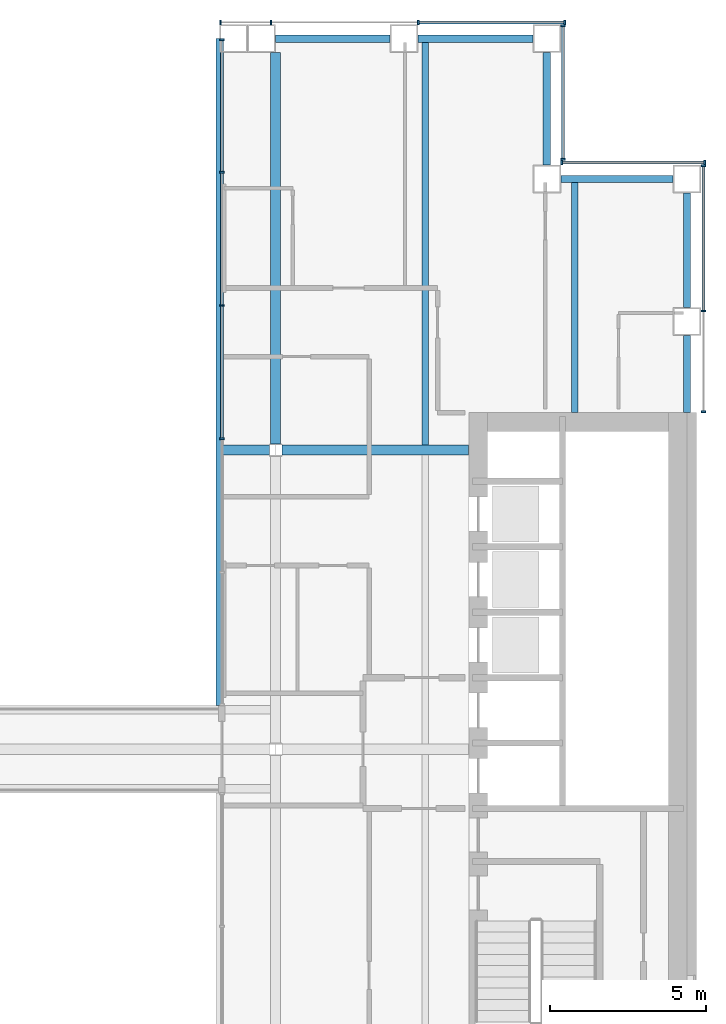
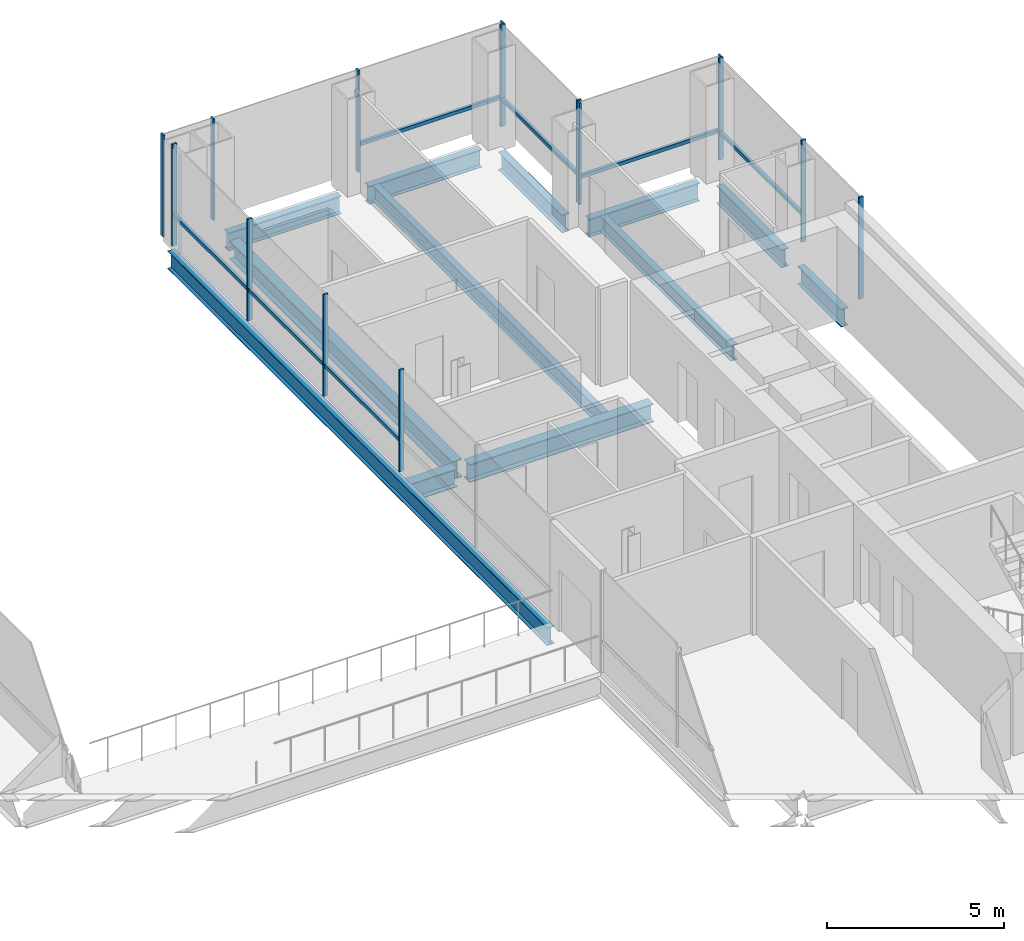
# One storey, part 8 of 16: 22 members, 12 beams, 5 elements without a shape of their own.
"""IFC4 building model written with IfcOpenShell, lengths in metres."""

from ifc_helpers import new_model, si_unit, direction, frame, origin, origin_2d, place, context, subcontext, project, spatial, rectangle, i_section, extrude, material, material_profile, profile_set, type_object, element, aggregate, save


model = new_model("IFC4")

# Units and contexts
model_context = context("Model", 3, precision=1e-05, world=origin(), true_north=direction((0.0, 1.0)))
body_context = subcontext(model_context, "Body", "Model", "MODEL_VIEW")
ifc_project = project(units=[si_unit("LENGTHUNIT", "METRE"), si_unit("AREAUNIT", "SQUARE_METRE"), si_unit("VOLUMEUNIT", "CUBIC_METRE"), si_unit("PLANEANGLEUNIT", "RADIAN"), si_unit("MASSUNIT", "GRAM", prefix="KILO")], contexts=[model_context])

# Site, building, storey
site_placement = place(None, origin())
site = spatial("IfcSite", under=ifc_project, at=site_placement, CompositionType="ELEMENT")
building_placement = place(site_placement, origin())
building = spatial("IfcBuilding", under=site, at=building_placement, Name="Cobrizo Arcos Hotel Tower", CompositionType="ELEMENT")
storey_placement = place(building_placement, frame((0.0, 0.0, 127.5)))
storey = spatial("IfcBuildingStorey", under=building, at=storey_placement, Name="L32", CompositionType="ELEMENT", Elevation=127.5)

# Curtain wall, members
ifc_material_1 = material(Name="Aluminium 6063-T6 anodised bronze", Category="aluminium")
curtain_wall_type_1 = type_object("IfcCurtainWallType", Name="CW-A guest facade", PredefinedType="NOTDEFINED", material=ifc_material_1)
curtain_wall_1_placement = place(storey_placement, origin())
curtain_wall_1 = element("IfcCurtainWall", 1, at=curtain_wall_1_placement, inside=storey, type_object=curtain_wall_type_1, Name="CW-A L32 E face", PredefinedType="NOTDEFINED")
ifc_material_profile_1 = material_profile(ifc_material_1, rectangle(XDim=0.14990234375, YDim=0.06005859375, at=origin_2d()), Name="CW-A mullion 150x60")
ifc_profile_set_1 = profile_set([ifc_material_profile_1], Name="Aluminium 6063-T6 anodised bronze")
member_type_1 = type_object("IfcMemberType", Name="CW-A mullion 150x60", PredefinedType="MULLION", material=ifc_profile_set_1)
member_1_placement = place(storey_placement, frame((23.324951171875, 10.830078125, 0.0), z_axis=(0.0, 0.0, 1.0), x_axis=(1.0, 0.0, 0.0)))
member_1 = element("IfcMember", 2, at=member_1_placement, type_object=member_type_1, Name="CW-A mullion 1", PredefinedType="MULLION", context=body_context, shape_type="SweptSolid", body=[
    extrude(rectangle(XDim=0.14990234375, YDim=0.06005859375, at=origin_2d()), origin(), (0.0, 0.0, 1.0), 3.5),
])
member_2_placement = place(storey_placement, frame((23.324951171875, 14.0625, 0.0), z_axis=(0.0, 0.0, 1.0), x_axis=(1.0, 0.0, 0.0)))
member_2 = element("IfcMember", 3, at=member_2_placement, type_object=member_type_1, Name="CW-A mullion 2", PredefinedType="MULLION", context=body_context, shape_type="SweptSolid", body=[
    extrude(rectangle(XDim=0.14990234375, YDim=0.06005859375, at=origin_2d()), origin(), (0.0, 0.0, 1.0), 3.5),
])
member_3_placement = place(storey_placement, frame((23.324951171875, 18.719970703125, 0.0), z_axis=(0.0, 0.0, 1.0), x_axis=(1.0, 0.0, 0.0)))
member_3 = element("IfcMember", 4, at=member_3_placement, type_object=member_type_1, Name="CW-A mullion 3", PredefinedType="MULLION", context=body_context, shape_type="SweptSolid", body=[
    extrude(rectangle(XDim=0.14990234375, YDim=0.06005859375, at=origin_2d()), origin(), (0.0, 0.0, 1.0), 3.5),
])

curtain_wall_2_placement = place(storey_placement, origin())
curtain_wall_2 = element("IfcCurtainWall", 5, at=curtain_wall_2_placement, inside=storey, type_object=curtain_wall_type_1, Name="CW-A L32 N face", PredefinedType="NOTDEFINED")
member_4_placement = place(storey_placement, frame((23.3701171875, 18.824951171875, 0.0), z_axis=(0.0, 0.0, 1.0), x_axis=(0.0, 1.0, 0.0)))
member_4 = element("IfcMember", 6, at=member_4_placement, type_object=member_type_1, Name="CW-A mullion 1", PredefinedType="MULLION", context=body_context, shape_type="SweptSolid", body=[
    extrude(rectangle(XDim=0.14990234375, YDim=0.06005859375, at=origin_2d()), origin(), (0.0, 0.0, 1.0), 3.5),
])
member_5_placement = place(storey_placement, frame((18.780029296875, 18.824951171875, 0.0), z_axis=(0.0, 0.0, 1.0), x_axis=(0.0, 1.0, 0.0)))
member_5 = element("IfcMember", 7, at=member_5_placement, type_object=member_type_1, Name="CW-A mullion 2", PredefinedType="MULLION", context=body_context, shape_type="SweptSolid", body=[
    extrude(rectangle(XDim=0.14990234375, YDim=0.06005859375, at=origin_2d()), origin(), (0.0, 0.0, 1.0), 3.5),
])

curtain_wall_3_placement = place(storey_placement, origin())
curtain_wall_3 = element("IfcCurtainWall", 8, at=curtain_wall_3_placement, inside=storey, type_object=curtain_wall_type_1, Name="CW-A L32 E face", PredefinedType="NOTDEFINED")
member_6_placement = place(storey_placement, frame((18.824951171875, 18.929931640625, 0.0), z_axis=(0.0, 0.0, 1.0), x_axis=(1.0, 0.0, 0.0)))
member_6 = element("IfcMember", 9, at=member_6_placement, type_object=member_type_1, Name="CW-A mullion 1", PredefinedType="MULLION", context=body_context, shape_type="SweptSolid", body=[
    extrude(rectangle(XDim=0.14990234375, YDim=0.06005859375, at=origin_2d()), origin(), (0.0, 0.0, 1.0), 3.5),
])
member_7_placement = place(storey_placement, frame((18.824951171875, 23.219970703125, 0.0), z_axis=(0.0, 0.0, 1.0), x_axis=(1.0, 0.0, 0.0)))
member_7 = element("IfcMember", 10, at=member_7_placement, type_object=member_type_1, Name="CW-A mullion 2", PredefinedType="MULLION", context=body_context, shape_type="SweptSolid", body=[
    extrude(rectangle(XDim=0.14990234375, YDim=0.06005859375, at=origin_2d()), origin(), (0.0, 0.0, 1.0), 3.5),
])

curtain_wall_4_placement = place(storey_placement, origin())
curtain_wall_4 = element("IfcCurtainWall", 11, at=curtain_wall_4_placement, inside=storey, type_object=curtain_wall_type_1, Name="CW-A L32 N face", PredefinedType="NOTDEFINED")
member_8_placement = place(storey_placement, frame((18.8701171875, 23.324951171875, 0.0), z_axis=(0.0, 0.0, 1.0), x_axis=(0.0, 1.0, 0.0)))
member_8 = element("IfcMember", 12, at=member_8_placement, type_object=member_type_1, Name="CW-A mullion 1", PredefinedType="MULLION", context=body_context, shape_type="SweptSolid", body=[
    extrude(rectangle(XDim=0.14990234375, YDim=0.06005859375, at=origin_2d()), origin(), (0.0, 0.0, 1.0), 3.5),
])
member_9_placement = place(storey_placement, frame((14.175048828125, 23.324951171875, 0.0), z_axis=(0.0, 0.0, 1.0), x_axis=(0.0, 1.0, 0.0)))
member_9 = element("IfcMember", 13, at=member_9_placement, type_object=member_type_1, Name="CW-A mullion 2", PredefinedType="MULLION", context=body_context, shape_type="SweptSolid", body=[
    extrude(rectangle(XDim=0.14990234375, YDim=0.06005859375, at=origin_2d()), origin(), (0.0, 0.0, 1.0), 3.5),
])
member_10_placement = place(storey_placement, frame((9.449951171875, 23.324951171875, 0.0), z_axis=(0.0, 0.0, 1.0), x_axis=(0.0, 1.0, 0.0)))
member_10 = element("IfcMember", 14, at=member_10_placement, type_object=member_type_1, Name="CW-A mullion 3", PredefinedType="MULLION", context=body_context, shape_type="SweptSolid", body=[
    extrude(rectangle(XDim=0.14990234375, YDim=0.06005859375, at=origin_2d()), origin(), (0.0, 0.0, 1.0), 3.5),
])
member_11_placement = place(storey_placement, frame((7.830078125, 23.324951171875, 0.0), z_axis=(0.0, 0.0, 1.0), x_axis=(0.0, 1.0, 0.0)))
member_11 = element("IfcMember", 15, at=member_11_placement, type_object=member_type_1, Name="CW-A mullion 4", PredefinedType="MULLION", context=body_context, shape_type="SweptSolid", body=[
    extrude(rectangle(XDim=0.14990234375, YDim=0.06005859375, at=origin_2d()), origin(), (0.0, 0.0, 1.0), 3.5),
])

# Member
ifc_material_profile_2 = material_profile(ifc_material_1, rectangle(XDim=0.10009765625, YDim=0.1201171875, at=origin_2d()), Name="CW-A transom 120x100")
ifc_profile_set_2 = profile_set([ifc_material_profile_2], Name="Aluminium 6063-T6 anodised bronze")
member_type_2 = type_object("IfcMemberType", Name="CW-A transom 120x100", PredefinedType="USERDEFINED", material=ifc_profile_set_2)
member_12_placement = place(storey_placement, frame((23.324951171875, 14.092529296875, 0.929931640625), z_axis=(0.0, 1.0, 0.0), x_axis=(-1.0, 0.0, 0.0)))
member_12 = element("IfcMember", 16, at=member_12_placement, type_object=member_type_2, Name="CW-A transom 1202", ObjectType="TRANSOM", PredefinedType="USERDEFINED", context=body_context, shape_type="SweptSolid", body=[
    extrude(rectangle(XDim=0.10009765625, YDim=0.1201171875, at=origin_2d()), origin(), (0.0, 0.0, 1.0), 4.597412109375),
])

aggregate(curtain_wall_1, [member_1, member_2, member_3, member_12])

member_13_placement = place(storey_placement, frame((23.340087890625, 18.824951171875, 0.929931640625), z_axis=(-1.0, 0.0, 0.0), x_axis=(0.0, -1.0, 0.0)))
member_13 = element("IfcMember", 17, at=member_13_placement, type_object=member_type_2, Name="CW-A transom 1203", ObjectType="TRANSOM", PredefinedType="USERDEFINED", context=body_context, shape_type="SweptSolid", body=[
    extrude(rectangle(XDim=0.10009765625, YDim=0.1201171875, at=origin_2d()), origin(), (0.0, 0.0, 1.0), 4.530029296875),
])

aggregate(curtain_wall_2, [member_4, member_5, member_13])

member_14_placement = place(storey_placement, frame((18.824951171875, 18.9599609375, 0.929931640625), z_axis=(0.0, 1.0, 0.0), x_axis=(-1.0, 0.0, 0.0)))
member_14 = element("IfcMember", 18, at=member_14_placement, type_object=member_type_2, Name="CW-A transom 1204", ObjectType="TRANSOM", PredefinedType="USERDEFINED", context=body_context, shape_type="SweptSolid", body=[
    extrude(rectangle(XDim=0.10009765625, YDim=0.1201171875, at=origin_2d()), origin(), (0.0, 0.0, 1.0), 4.22998046875),
])

aggregate(curtain_wall_3, [member_6, member_7, member_14])

member_15_placement = place(storey_placement, frame((18.840087890625, 23.324951171875, 0.929931640625), z_axis=(-1.0, 0.0, 0.0), x_axis=(0.0, -1.0, 0.0)))
member_15 = element("IfcMember", 19, at=member_15_placement, type_object=member_type_2, Name="CW-A transom 1205", ObjectType="TRANSOM", PredefinedType="USERDEFINED", context=body_context, shape_type="SweptSolid", body=[
    extrude(rectangle(XDim=0.10009765625, YDim=0.1201171875, at=origin_2d()), origin(), (0.0, 0.0, 1.0), 4.635009765625),
])

aggregate(curtain_wall_4, [member_8, member_9, member_10, member_11, member_15])

# Curtain wall, members
curtain_wall_type_2 = type_object("IfcCurtainWallType", Name="CW-F void screen", PredefinedType="NOTDEFINED", material=ifc_material_1)
curtain_wall_5_placement = place(storey_placement, origin())
curtain_wall_5 = element("IfcCurtainWall", 20, at=curtain_wall_5_placement, inside=storey, type_object=curtain_wall_type_2, Name="CW-F L32 void screen B", PredefinedType="NOTDEFINED")
ifc_material_profile_3 = material_profile(ifc_material_1, rectangle(XDim=0.14990234375, YDim=0.06005859375, at=origin_2d()), Name="CW-F mullion 150x60")
ifc_profile_set_3 = profile_set([ifc_material_profile_3], Name="Aluminium 6063-T6 anodised bronze")
member_type_3 = type_object("IfcMemberType", Name="CW-F mullion 150x60", PredefinedType="MULLION", material=ifc_profile_set_3)
member_16_placement = place(storey_placement, frame((7.875, 9.9599609375, 0.0), z_axis=(0.0, 0.0, 1.0), x_axis=(1.0, 0.0, 0.0)))
member_16 = element("IfcMember", 21, at=member_16_placement, type_object=member_type_3, Name="CW-F mullion 3", PredefinedType="MULLION", context=body_context, shape_type="SweptSolid", body=[
    extrude(rectangle(XDim=0.14990234375, YDim=0.06005859375, at=origin_2d()), origin(), (0.0, 0.0, 1.0), 3.5),
])
member_17_placement = place(storey_placement, frame((7.875, 14.239990234375, 0.0), z_axis=(0.0, 0.0, 1.0), x_axis=(1.0, 0.0, 0.0)))
member_17 = element("IfcMember", 22, at=member_17_placement, type_object=member_type_3, Name="CW-F mullion 4", PredefinedType="MULLION", context=body_context, shape_type="SweptSolid", body=[
    extrude(rectangle(XDim=0.14990234375, YDim=0.06005859375, at=origin_2d()), origin(), (0.0, 0.0, 1.0), 3.5),
])
member_18_placement = place(storey_placement, frame((7.875, 18.52001953125, 0.0), z_axis=(0.0, 0.0, 1.0), x_axis=(1.0, 0.0, 0.0)))
member_18 = element("IfcMember", 23, at=member_18_placement, type_object=member_type_3, Name="CW-F mullion 5", PredefinedType="MULLION", context=body_context, shape_type="SweptSolid", body=[
    extrude(rectangle(XDim=0.14990234375, YDim=0.06005859375, at=origin_2d()), origin(), (0.0, 0.0, 1.0), 3.5),
])
member_19_placement = place(storey_placement, frame((7.875, 22.77001953125, 0.0), z_axis=(0.0, 0.0, 1.0), x_axis=(1.0, 0.0, 0.0)))
member_19 = element("IfcMember", 24, at=member_19_placement, type_object=member_type_3, Name="CW-F mullion 6", PredefinedType="MULLION", context=body_context, shape_type="SweptSolid", body=[
    extrude(rectangle(XDim=0.14990234375, YDim=0.06005859375, at=origin_2d()), origin(), (0.0, 0.0, 1.0), 3.5),
])
ifc_material_profile_4 = material_profile(ifc_material_1, rectangle(XDim=0.10009765625, YDim=0.1201171875, at=origin_2d()), Name="CW-F transom 120x100")
ifc_profile_set_4 = profile_set([ifc_material_profile_4], Name="Aluminium 6063-T6 anodised bronze")
member_type_4 = type_object("IfcMemberType", Name="CW-F transom 120x100", PredefinedType="USERDEFINED", material=ifc_profile_set_4)
member_20_placement = place(storey_placement, frame((7.875, 9.989990234375, 1.050048828125), z_axis=(0.0, 1.0, 0.0), x_axis=(-1.0, 0.0, 0.0)))
member_20 = element("IfcMember", 25, at=member_20_placement, type_object=member_type_4, Name="CW-F transom 2633", ObjectType="TRANSOM", PredefinedType="USERDEFINED", context=body_context, shape_type="SweptSolid", body=[
    extrude(rectangle(XDim=0.10009765625, YDim=0.1201171875, at=origin_2d()), origin(), (0.0, 0.0, 1.0), 4.219970703125),
])
member_21_placement = place(storey_placement, frame((7.875, 14.27001953125, 1.050048828125), z_axis=(0.0, 1.0, 0.0), x_axis=(-1.0, 0.0, 0.0)))
member_21 = element("IfcMember", 26, at=member_21_placement, type_object=member_type_4, Name="CW-F transom 2634", ObjectType="TRANSOM", PredefinedType="USERDEFINED", context=body_context, shape_type="SweptSolid", body=[
    extrude(rectangle(XDim=0.10009765625, YDim=0.1201171875, at=origin_2d()), origin(), (0.0, 0.0, 1.0), 4.219970703125),
])
member_22_placement = place(storey_placement, frame((7.875, 18.550048828125, 1.050048828125), z_axis=(0.0, 1.0, 0.0), x_axis=(-1.0, 0.0, 0.0)))
member_22 = element("IfcMember", 27, at=member_22_placement, type_object=member_type_4, Name="CW-F transom 2635", ObjectType="TRANSOM", PredefinedType="USERDEFINED", context=body_context, shape_type="SweptSolid", body=[
    extrude(rectangle(XDim=0.10009765625, YDim=0.1201171875, at=origin_2d()), origin(), (0.0, 0.0, 1.0), 4.18994140625),
])
aggregate(curtain_wall_5, [member_16, member_17, member_18, member_19, member_20, member_21, member_22])

# Beams
ifc_material_2 = material(Name="Steel ASTM A992 Grade 50", Category="steel")
ifc_material_profile_5 = material_profile(ifc_material_2, i_section(OverallWidth=0.209228515625, OverallDepth=0.533447265625, WebThickness=0.01025390625, FlangeThickness=0.015625, at=origin_2d()), Name="W21X62")
ifc_profile_set_5 = profile_set([ifc_material_profile_5], Name="Steel ASTM A992 Grade 50")
beam_type_1 = type_object("IfcBeamType", Name="W21X62 joist", PredefinedType="JOIST", material=ifc_profile_set_5)
beam_1_placement = place(storey_placement, frame((14.39990234375, 9.763916015625, -0.416748046875), z_axis=(0.0, 1.0, 0.0), x_axis=(-1.0, 0.0, 0.0)))
element("IfcBeam", 28, at=beam_1_placement, inside=storey, type_object=beam_type_1, Name="Floor joist J1, L32, no. 010", PredefinedType="JOIST", context=body_context, shape_type="SweptSolid", body=[
    extrude(i_section(OverallWidth=0.209228515625, OverallDepth=0.533447265625, WebThickness=0.01025390625, FlangeThickness=0.015625, at=origin_2d()), origin(), (0.0, 0.0, 1.0), 12.946044921875),
])
beam_2_placement = place(storey_placement, frame((19.199951171875, 10.81005859375, -0.416748046875), z_axis=(0.0, 1.0, 0.0), x_axis=(-1.0, 0.0, 0.0)))
element("IfcBeam", 29, at=beam_2_placement, inside=storey, type_object=beam_type_1, Name="Floor joist J1, L32, no. 012", PredefinedType="JOIST", context=body_context, shape_type="SweptSolid", body=[
    extrude(i_section(OverallWidth=0.209228515625, OverallDepth=0.533447265625, WebThickness=0.01025390625, FlangeThickness=0.015625, at=origin_2d()), origin(), (0.0, 0.0, 1.0), 7.39990234375),
])
ifc_material_profile_6 = material_profile(ifc_material_2, i_section(OverallWidth=0.32763671875, OverallDepth=0.622314453125, WebThickness=0.015380859375, FlangeThickness=0.0244140625, at=origin_2d()), Name="W24X131")
ifc_profile_set_6 = profile_set([ifc_material_profile_6], Name="Steel ASTM A992 Grade 50")
beam_type_2 = type_object("IfcBeamType", Name="W24X131 girder", PredefinedType="BEAM", material=ifc_profile_set_6)
beam_3_placement = place(storey_placement, frame((7.889892578125, 9.60009765625, -0.461181640625), z_axis=(1.0, 0.0, 0.0), x_axis=(0.0, 1.0, 0.0)))
element("IfcBeam", 30, at=beam_3_placement, inside=storey, type_object=beam_type_2, Name="Floor girder G1, L32, no. 010", PredefinedType="BEAM", context=body_context, shape_type="SweptSolid", body=[
    extrude(i_section(OverallWidth=0.32763671875, OverallDepth=0.622314453125, WebThickness=0.015380859375, FlangeThickness=0.0244140625, at=origin_2d()), origin(), (0.0, 0.0, 1.0), 1.5107421875),
])
beam_4_placement = place(storey_placement, frame((9.79931640625, 9.60009765625, -0.461181640625), z_axis=(1.0, 0.0, 0.0), x_axis=(0.0, 1.0, 0.0)))
element("IfcBeam", 31, at=beam_4_placement, inside=storey, type_object=beam_type_2, Name="Floor girder G1, L32, no. 011", PredefinedType="BEAM", context=body_context, shape_type="SweptSolid", body=[
    extrude(i_section(OverallWidth=0.32763671875, OverallDepth=0.622314453125, WebThickness=0.015380859375, FlangeThickness=0.0244140625, at=origin_2d()), origin(), (0.0, 0.0, 1.0), 5.99072265625),
])
beam_5_placement = place(storey_placement, frame((9.60009765625, 9.79931640625, -0.461181640625), z_axis=(0.0, 1.0, 0.0), x_axis=(-1.0, 0.0, 0.0)))
element("IfcBeam", 32, at=beam_5_placement, inside=storey, type_object=beam_type_2, Name="Floor girder G1, L32, no. 019", PredefinedType="BEAM", context=body_context, shape_type="SweptSolid", body=[
    extrude(i_section(OverallWidth=0.32763671875, OverallDepth=0.622314453125, WebThickness=0.015380859375, FlangeThickness=0.0244140625, at=origin_2d()), origin(), (0.0, 0.0, 1.0), 12.55078125),
])
ifc_material_profile_7 = material_profile(ifc_material_2, i_section(OverallWidth=0.23046875, OverallDepth=0.6171875, WebThickness=0.01318359375, FlangeThickness=0.022216796875, at=origin_2d()), Name="W24X94")
ifc_profile_set_7 = profile_set([ifc_material_profile_7], Name="Steel ASTM A992 Grade 50")
beam_type_3 = type_object("IfcBeamType", Name="W24X94 spandrel", PredefinedType="SPANDREL", material=ifc_profile_set_7)
beam_6_placement = place(storey_placement, frame((18.75, 18.300048828125, -0.45849609375), z_axis=(1.0, 0.0, 0.0), x_axis=(0.0, 1.0, 0.0)))
element("IfcBeam", 33, at=beam_6_placement, inside=storey, type_object=beam_type_3, Name="Spandrel beam W24X94, L32, no. 001", PredefinedType="SPANDREL", context=body_context, shape_type="SweptSolid", body=[
    extrude(i_section(OverallWidth=0.23046875, OverallDepth=0.6171875, WebThickness=0.01318359375, FlangeThickness=0.022216796875, at=origin_2d()), origin(), (0.0, 0.0, 1.0), 3.60009765625),
])
beam_7_placement = place(storey_placement, frame((22.800048828125, 17.85009765625, -0.45849609375), z_axis=(0.0, -1.0, 0.0), x_axis=(1.0, 0.0, 0.0)))
element("IfcBeam", 34, at=beam_7_placement, inside=storey, type_object=beam_type_3, Name="Spandrel beam W24X94, L32, no. 002", PredefinedType="SPANDREL", context=body_context, shape_type="SweptSolid", body=[
    extrude(i_section(OverallWidth=0.23046875, OverallDepth=0.6171875, WebThickness=0.01318359375, FlangeThickness=0.022216796875, at=origin_2d()), origin(), (0.0, 0.0, 1.0), 3.675048828125),
])
beam_8_placement = place(storey_placement, frame((22.800048828125, 13.27490234375, -0.45849609375), z_axis=(0.0, -1.0, 0.0), x_axis=(1.0, 0.0, 0.0)))
element("IfcBeam", 35, at=beam_8_placement, inside=storey, type_object=beam_type_3, Name="Spandrel beam W24X94, L32, no. 003", PredefinedType="SPANDREL", context=body_context, shape_type="SweptSolid", body=[
    extrude(i_section(OverallWidth=0.23046875, OverallDepth=0.6171875, WebThickness=0.01318359375, FlangeThickness=0.022216796875, at=origin_2d()), origin(), (0.0, 0.0, 1.0), 2.46484375),
])
beam_9_placement = place(storey_placement, frame((7.800048828125, 1.39990234375, -0.45849609375), z_axis=(0.0, 1.0, 0.0), x_axis=(-1.0, 0.0, 0.0)))
element("IfcBeam", 36, at=beam_9_placement, inside=storey, type_object=beam_type_3, Name="Spandrel beam W24X94, L32, no. 025", PredefinedType="SPANDREL", context=body_context, shape_type="SweptSolid", body=[
    extrude(i_section(OverallWidth=0.23046875, OverallDepth=0.6171875, WebThickness=0.01318359375, FlangeThickness=0.022216796875, at=origin_2d()), origin(), (0.0, 0.0, 1.0), 21.400146484375),
])
beam_10_placement = place(storey_placement, frame((9.60009765625, 22.800048828125, -0.45849609375), z_axis=(1.0, 0.0, 0.0), x_axis=(0.0, 1.0, 0.0)))
element("IfcBeam", 37, at=beam_10_placement, inside=storey, type_object=beam_type_3, Name="Spandrel beam W24X94, L32, no. 026", PredefinedType="SPANDREL", context=body_context, shape_type="SweptSolid", body=[
    extrude(i_section(OverallWidth=0.23046875, OverallDepth=0.6171875, WebThickness=0.01318359375, FlangeThickness=0.022216796875, at=origin_2d()), origin(), (0.0, 0.0, 1.0), 3.6748046875),
])
beam_11_placement = place(storey_placement, frame((14.175048828125, 22.800048828125, -0.45849609375), z_axis=(1.0, 0.0, 0.0), x_axis=(0.0, 1.0, 0.0)))
element("IfcBeam", 38, at=beam_11_placement, inside=storey, type_object=beam_type_3, Name="Spandrel beam W24X94, L32, no. 027", PredefinedType="SPANDREL", context=body_context, shape_type="SweptSolid", body=[
    extrude(i_section(OverallWidth=0.23046875, OverallDepth=0.6171875, WebThickness=0.01318359375, FlangeThickness=0.022216796875, at=origin_2d()), origin(), (0.0, 0.0, 1.0), 3.675048828125),
])
beam_12_placement = place(storey_placement, frame((18.300048828125, 22.35009765625, -0.45849609375), z_axis=(0.0, -1.0, 0.0), x_axis=(1.0, 0.0, 0.0)))
element("IfcBeam", 39, at=beam_12_placement, inside=storey, type_object=beam_type_3, Name="Spandrel beam W24X94, L32, no. 028", PredefinedType="SPANDREL", context=body_context, shape_type="SweptSolid", body=[
    extrude(i_section(OverallWidth=0.23046875, OverallDepth=0.6171875, WebThickness=0.01318359375, FlangeThickness=0.022216796875, at=origin_2d()), origin(), (0.0, 0.0, 1.0), 3.60009765625),
])

save(model, "model.ifc")
